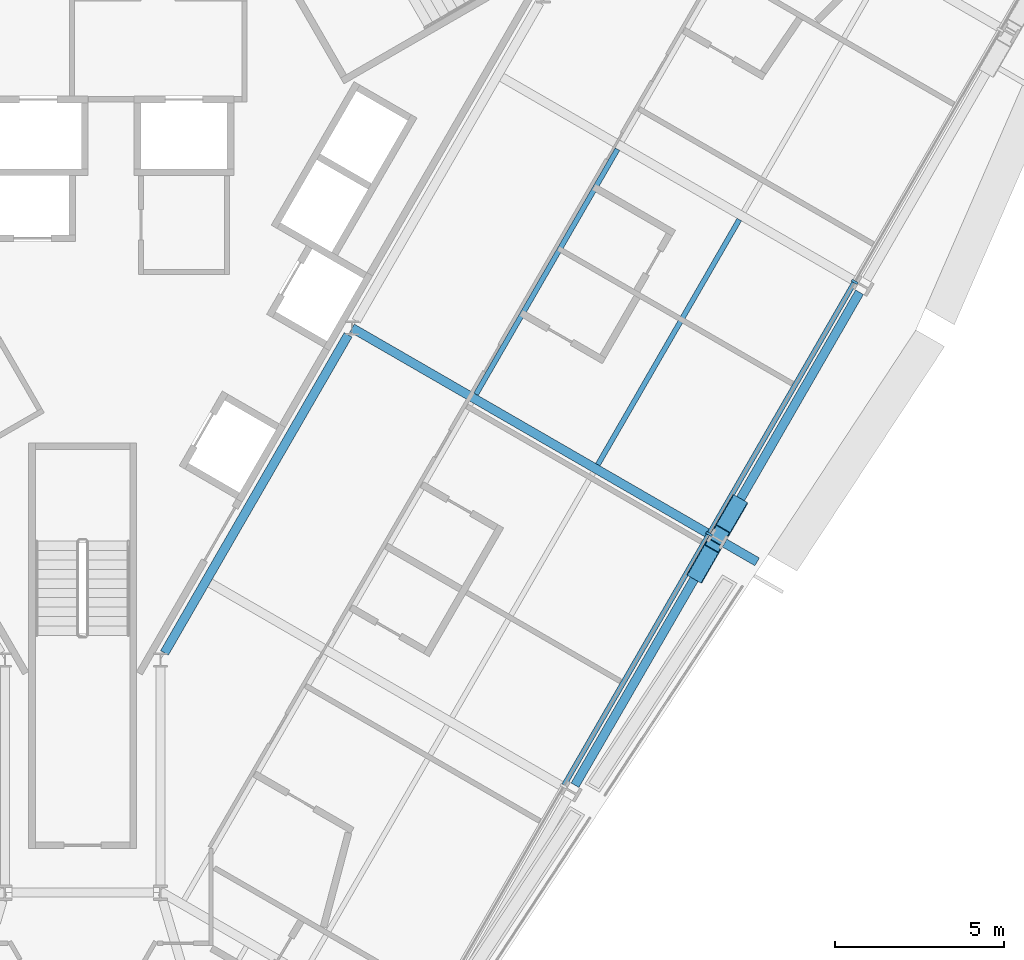
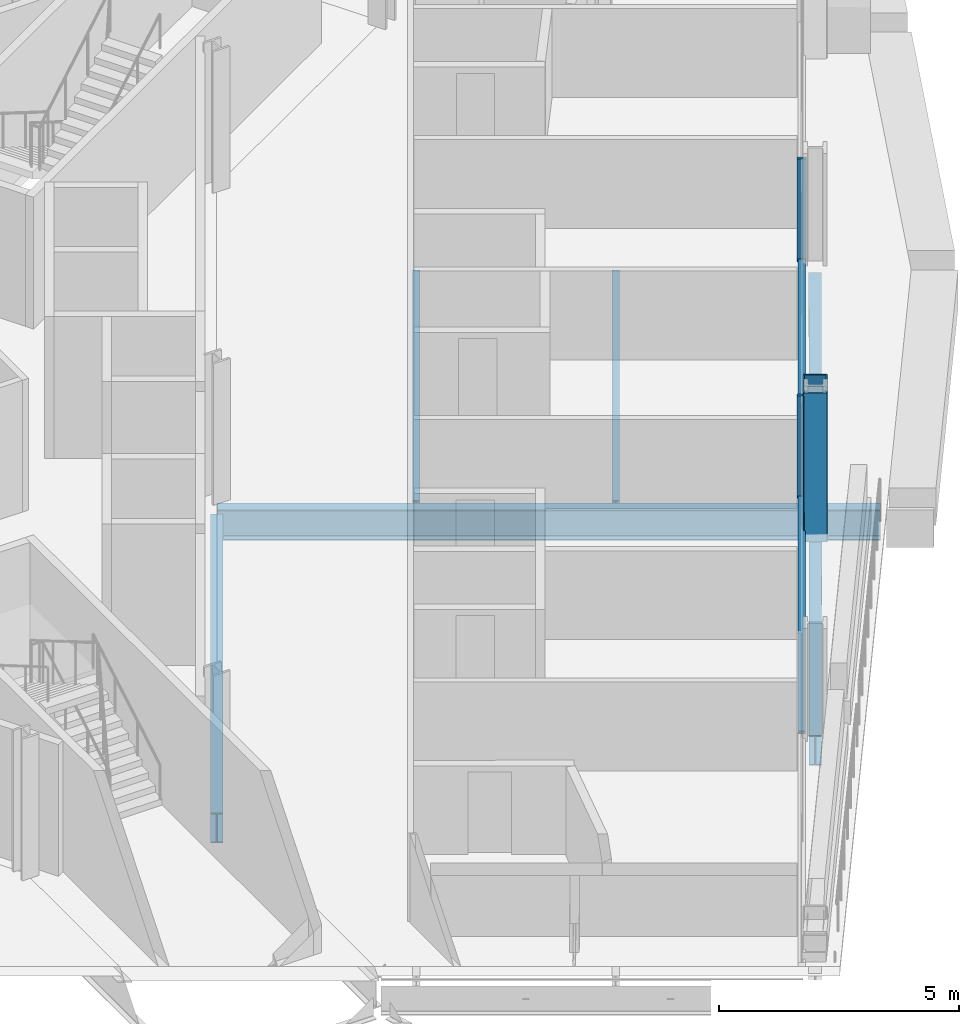
# One storey, part 6 of 18: 7 beams, 6 members, 1 element without a shape of its own.
"""IFC4 building model written with IfcOpenShell, lengths in metres."""

from ifc_helpers import new_model, si_unit, direction, frame, origin, origin_2d, place, context, subcontext, project, spatial, rectangle, hollow_rectangle, i_section, extrude, material, material_profile, profile_set, type_object, element, aggregate, save


model = new_model("IFC4")

# Units and contexts
model_context = context("Model", 3, precision=1e-05, world=origin(), true_north=direction((0.0, 1.0)))
body_context = subcontext(model_context, "Body", "Model", "MODEL_VIEW")
ifc_project = project(units=[si_unit("LENGTHUNIT", "METRE"), si_unit("AREAUNIT", "SQUARE_METRE"), si_unit("VOLUMEUNIT", "CUBIC_METRE"), si_unit("PLANEANGLEUNIT", "RADIAN"), si_unit("MASSUNIT", "GRAM", prefix="KILO")], contexts=[model_context])

# Site, building, storey
site_placement = place(None, origin())
site = spatial("IfcSite", under=ifc_project, at=site_placement, CompositionType="ELEMENT")
building_placement = place(site_placement, origin())
building = spatial("IfcBuilding", under=site, at=building_placement, Name="Verrane Prism Tower", CompositionType="ELEMENT")
storey_placement = place(building_placement, frame((0.0, 0.0, 83.60009765625)))
storey = spatial("IfcBuildingStorey", under=building, at=storey_placement, Name="L19", CompositionType="ELEMENT", Elevation=83.60009765625)

# Beam
ifc_material_1 = material(Name="Steel A992", Category="steel")
ifc_material_profile_1 = material_profile(ifc_material_1, i_section(OverallWidth=0.2666015625, OverallDepth=0.7568359375, WebThickness=0.013916015625, FlangeThickness=0.019287109375, FilletRadius=0.0166015625, at=origin_2d()), Name="W30x108")
ifc_profile_set_1 = profile_set([ifc_material_profile_1], Name="Steel A992")
beam_type_1 = type_object("IfcBeamType", Name="Core ring girder W30x108", PredefinedType="BEAM", material=ifc_profile_set_1)
beam_1_placement = place(storey_placement, frame((2.42041015625, -14.211669921875, -0.628662109375), z_axis=(0.500013103396, 0.866017838403, 0.0), x_axis=(-0.866017838403, 0.500013103396, 0.0)))
element("IfcBeam", 1, at=beam_1_placement, inside=storey, type_object=beam_type_1, Name="Core ring girder L19", PredefinedType="BEAM", context=body_context, shape_type="SweptSolid", body=[
    extrude(i_section(OverallWidth=0.2666015625, OverallDepth=0.7568359375, WebThickness=0.013916015625, FlangeThickness=0.019287109375, FilletRadius=0.0166015625, at=origin_2d()), origin(), (0.0, 0.0, 1.0), 10.858154296875),
])

# Members
ifc_material_2 = material(Name="Steel A1085 Grade A", Category="steel")
ifc_material_profile_2 = material_profile(ifc_material_2, hollow_rectangle(XDim=0.508056640625, YDim=0.508056640625, WallThickness=0.025390625, InnerFilletRadius=0.0126953125, OuterFilletRadius=0.0380859375, at=origin_2d()), Name="HSS20x20x1")
ifc_profile_set_2 = profile_set([ifc_material_profile_2], Name="Steel A1085 Grade A")
member_type_1 = type_object("IfcMemberType", Name="Facade brace HSS20x20x1", PredefinedType="BRACE", material=ifc_profile_set_2)
member_1_placement = place(storey_placement, frame((18.202392578125, -11.8212890625, -0.24267578125), z_axis=(0.157518317595, 0.275336282984, 0.948355371627), x_axis=(-0.86799411416, 0.496574483622, 0.0)))
element("IfcMember", 2, at=member_1_placement, inside=storey, type_object=member_type_1, Name="Facade brace SE2 L19", PredefinedType="BRACE", context=body_context, shape_type="SweptSolid", body=[
    extrude(hollow_rectangle(XDim=0.508056640625, YDim=0.508056640625, WallThickness=0.025390625, InnerFilletRadius=0.0126953125, OuterFilletRadius=0.0380859375, at=origin_2d()), origin(), (0.0, 0.0, 1.0), 3.234619140625),
])
member_2_placement = place(storey_placement, frame((19.33642578125, -9.85693359375, -0.24267578125), z_axis=(-0.159091894555, -0.27310649388, 0.948737377828), x_axis=(0.86408200452, -0.503351059863, 0.0)))
element("IfcMember", 3, at=member_2_placement, inside=storey, type_object=member_type_1, Name="Facade brace SE3 L19", PredefinedType="BRACE", context=body_context, shape_type="SweptSolid", body=[
    extrude(hollow_rectangle(XDim=0.508056640625, YDim=0.508056640625, WallThickness=0.025390625, InnerFilletRadius=0.0126953125, OuterFilletRadius=0.0380859375, at=origin_2d()), origin(), (0.0, 0.0, 1.0), 3.2333984375),
])

# Beams
ifc_material_3 = material(Name="Steel A992", Category="steel")
ifc_material_profile_3 = material_profile(ifc_material_3, i_section(OverallWidth=0.15234375, OverallDepth=0.449462890625, WebThickness=0.007568359375, FlangeThickness=0.0107421875, FilletRadius=0.01025390625, at=origin_2d()), Name="W18x35")
ifc_profile_set_3 = profile_set([ifc_material_profile_3], Name="Steel A992")
beam_type_2 = type_object("IfcBeamType", Name="Floor beam W18x35", PredefinedType="BEAM", material=ifc_profile_set_3)
beam_2_placement = place(storey_placement, frame((15.234619140625, -8.64306640625, -0.385009765625), z_axis=(0.500002862074, 0.866023751359, 0.0), x_axis=(-0.866023751359, 0.500002862074, 0.0)))
element("IfcBeam", 4, at=beam_2_placement, inside=storey, type_object=beam_type_2, Name="Floor beam L19", PredefinedType="BEAM", context=body_context, shape_type="SweptSolid", body=[
    extrude(i_section(OverallWidth=0.15234375, OverallDepth=0.449462890625, WebThickness=0.007568359375, FlangeThickness=0.0107421875, FilletRadius=0.01025390625, at=origin_2d()), origin(), (0.0, 0.0, 1.0), 8.36572265625),
])
beam_3_placement = place(storey_placement, frame((11.632568359375, -6.56201171875, -0.385009765625), z_axis=(0.499990225416, 0.86603104707, 0.0), x_axis=(-0.86603104707, 0.499990225416, 0.0)))
element("IfcBeam", 5, at=beam_3_placement, inside=storey, type_object=beam_type_2, Name="Floor beam L19", PredefinedType="BEAM", context=body_context, shape_type="SweptSolid", body=[
    extrude(i_section(OverallWidth=0.15234375, OverallDepth=0.449462890625, WebThickness=0.007568359375, FlangeThickness=0.0107421875, FilletRadius=0.01025390625, at=origin_2d()), origin(), (0.0, 0.0, 1.0), 8.365966796875),
])

# Curtain wall, members
ifc_material_4 = material(Name="Aluminium framed insulated glazing", Category="aluminium")
curtain_wall_type = type_object("IfcCurtainWallType", Name="Curtain wall CW-A 8400 module", PredefinedType="NOTDEFINED", material=ifc_material_4)
curtain_wall_placement = place(storey_placement, origin())
curtain_wall = element("IfcCurtainWall", 6, at=curtain_wall_placement, inside=storey, type_object=curtain_wall_type, Name="Glazed curtain wall south-east face L19", PredefinedType="NOTDEFINED")
ifc_material_5 = material(Name="Aluminium alloy 6063-T6", Category="aluminium")
ifc_material_profile_4 = material_profile(ifc_material_5, rectangle(XDim=0.199951171875, YDim=0.070068359375, at=origin_2d()), Name="Mullion 70x200 aluminium")
ifc_profile_set_4 = profile_set([ifc_material_profile_4], Name="Aluminium alloy 6063-T6")
member_type_2 = type_object("IfcMemberType", Name="Mullion 70x200 aluminium", PredefinedType="MULLION", material=ifc_profile_set_4)
member_3_placement = place(storey_placement, frame((18.525146484375, -10.695556640625, 0.0), z_axis=(0.0, 0.0, 1.0), x_axis=(-0.866025845387, 0.499999235121, 0.0)))
member_3 = element("IfcMember", 7, at=member_3_placement, type_object=member_type_2, Name="CW17.6 mullion 4", PredefinedType="MULLION", context=body_context, shape_type="SweptSolid", body=[
    extrude(rectangle(XDim=0.199951171875, YDim=0.070068359375, at=origin_2d()), origin(), (0.0, 0.0, 1.0), 2.61279296875),
])
member_4_placement = place(storey_placement, frame((22.828857421875, -3.2412109375, 0.0), z_axis=(0.0, 0.0, 1.0), x_axis=(-0.866025845387, 0.499999235121, 0.0)))
member_4 = element("IfcMember", 8, at=member_4_placement, type_object=member_type_2, Name="CW17.6 mullion 5", PredefinedType="MULLION", context=body_context, shape_type="SweptSolid", body=[
    extrude(rectangle(XDim=0.199951171875, YDim=0.070068359375, at=origin_2d()), origin(), (0.0, 0.0, 1.0), 2.61279296875),
])

# Beams
ifc_material_6 = material(Name="Steel A992", Category="steel")
ifc_material_profile_5 = material_profile(ifc_material_6, i_section(OverallWidth=0.2666015625, OverallDepth=0.76708984375, WebThickness=0.014892578125, FlangeThickness=0.023681640625, FilletRadius=0.0166015625, at=origin_2d()), Name="W30x124")
ifc_profile_set_5 = profile_set([ifc_material_profile_5], Name="Steel A992")
beam_type_3 = type_object("IfcBeamType", Name="Radial girder W30x124", PredefinedType="BEAM", material=ifc_profile_set_5)
beam_4_placement = place(storey_placement, frame((18.554443359375, -10.715576171875, -0.603515625), z_axis=(-0.86602594319, 0.49999906572, 0.0), x_axis=(-0.49999906572, -0.86602594319, 0.0)))
element("IfcBeam", 9, at=beam_4_placement, inside=storey, type_object=beam_type_3, Name="Radial girder L19", PredefinedType="BEAM", context=body_context, shape_type="SweptSolid", body=[
    extrude(i_section(OverallWidth=0.2666015625, OverallDepth=0.76708984375, WebThickness=0.014892578125, FlangeThickness=0.023681640625, FilletRadius=0.0166015625, at=origin_2d()), origin(), (0.0, 0.0, 1.0), 12.22412109375),
])
beam_5_placement = place(storey_placement, frame((18.982177734375, -10.96240234375, -0.603515625), z_axis=(0.865922159541, -0.500178781653, 0.0), x_axis=(0.500178781653, 0.865922159541, 0.0)))
element("IfcBeam", 10, at=beam_5_placement, inside=storey, type_object=beam_type_3, Name="Cantilever girder L19", PredefinedType="BEAM", context=body_context, shape_type="SweptSolid", body=[
    extrude(i_section(OverallWidth=0.2666015625, OverallDepth=0.76708984375, WebThickness=0.014892578125, FlangeThickness=0.023681640625, FilletRadius=0.0166015625, at=origin_2d()), origin(), (0.0, 0.0, 1.0), 1.111328125),
])
ifc_material_7 = material(Name="Steel A992", Category="steel")
ifc_material_profile_6 = material_profile(ifc_material_7, i_section(OverallWidth=0.2666015625, OverallDepth=0.7568359375, WebThickness=0.013916015625, FlangeThickness=0.019287109375, FilletRadius=0.0166015625, at=origin_2d()), Name="W30x108")
ifc_profile_set_6 = profile_set([ifc_material_profile_6], Name="Steel A992")
beam_type_4 = type_object("IfcBeamType", Name="Spandrel beam W30x108", PredefinedType="SPANDREL", material=ifc_profile_set_6)
beam_6_placement = place(storey_placement, frame((14.55810546875, -18.123046875, -0.53857421875), z_axis=(0.500619438317, 0.865667475408, 0.0), x_axis=(-0.865667475408, 0.500619438317, 0.0)))
element("IfcBeam", 11, at=beam_6_placement, inside=storey, type_object=beam_type_4, Name="Spandrel beam L19", PredefinedType="SPANDREL", context=body_context, shape_type="SweptSolid", body=[
    extrude(i_section(OverallWidth=0.2666015625, OverallDepth=0.7568359375, WebThickness=0.013916015625, FlangeThickness=0.019287109375, FilletRadius=0.0166015625, at=origin_2d()), origin(), (0.0, 0.0, 1.0), 8.197265625),
])
beam_7_placement = place(storey_placement, frame((18.877685546875, -10.65283203125, -0.53857421875), z_axis=(0.499267942203, 0.866447645209, 0.0), x_axis=(-0.866447645209, 0.499267942203, 0.0)))
element("IfcBeam", 12, at=beam_7_placement, inside=storey, type_object=beam_type_4, Name="Spandrel beam L19", PredefinedType="SPANDREL", context=body_context, shape_type="SweptSolid", body=[
    extrude(i_section(OverallWidth=0.2666015625, OverallDepth=0.7568359375, WebThickness=0.013916015625, FlangeThickness=0.019287109375, FilletRadius=0.0166015625, at=origin_2d()), origin(), (0.0, 0.0, 1.0), 8.200927734375),
])

# Member
ifc_material_8 = material(Name="Aluminium alloy 6063-T6", Category="aluminium")
ifc_material_profile_7 = material_profile(ifc_material_8, rectangle(XDim=0.14990234375, YDim=0.070068359375, at=origin_2d()), Name="Transom 70x150 aluminium")
ifc_profile_set_7 = profile_set([ifc_material_profile_7], Name="Aluminium alloy 6063-T6")
member_type_3 = type_object("IfcMemberType", Name="Transom 70x150 aluminium", PredefinedType="USERDEFINED", material=ifc_profile_set_7)
member_5_placement = place(storey_placement, frame((14.23876953125, -18.119384765625, 0.034912109375), z_axis=(0.50001124802, 0.866018909639, 0.0), x_axis=(-0.866018909639, 0.50001124802, 0.0)))
member_5 = element("IfcMember", 13, at=member_5_placement, type_object=member_type_3, Name="CW17.6 transom 3", ObjectType="TRANSOM", PredefinedType="USERDEFINED", context=body_context, shape_type="SweptSolid", body=[
    extrude(rectangle(XDim=0.14990234375, YDim=0.070068359375, at=origin_2d()), origin(), (0.0, 0.0, 1.0), 8.537353515625),
])

member_6_placement = place(storey_placement, frame((18.54248046875, -10.665283203125, 0.034912109375), z_axis=(0.499998865407, 0.866026058841, 0.0), x_axis=(-0.866026058841, 0.499998865407, 0.0)))
member_6 = element("IfcMember", 14, at=member_6_placement, type_object=member_type_3, Name="CW17.6 transom 4", ObjectType="TRANSOM", PredefinedType="USERDEFINED", context=body_context, shape_type="SweptSolid", body=[
    extrude(rectangle(XDim=0.14990234375, YDim=0.070068359375, at=origin_2d()), origin(), (0.0, 0.0, 1.0), 8.53759765625),
])

aggregate(curtain_wall, [member_3, member_4, member_5, member_6])

save(model, "model.ifc")
